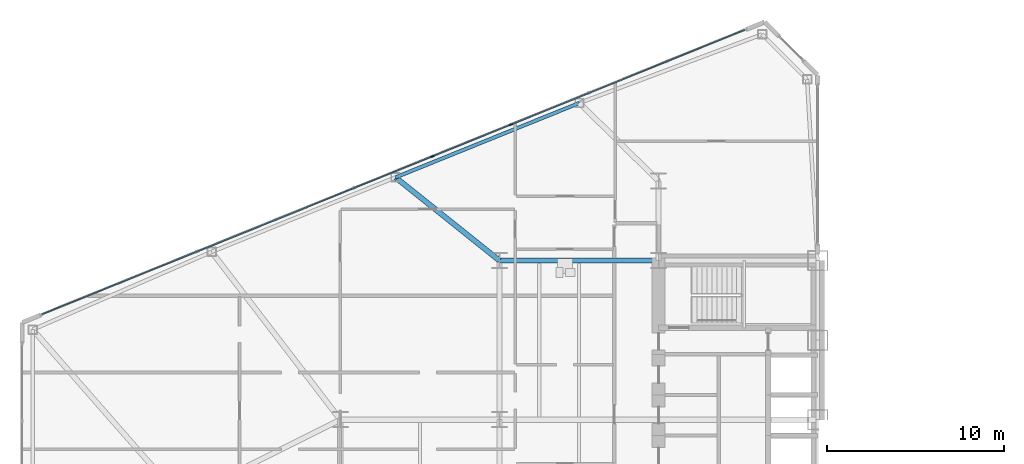
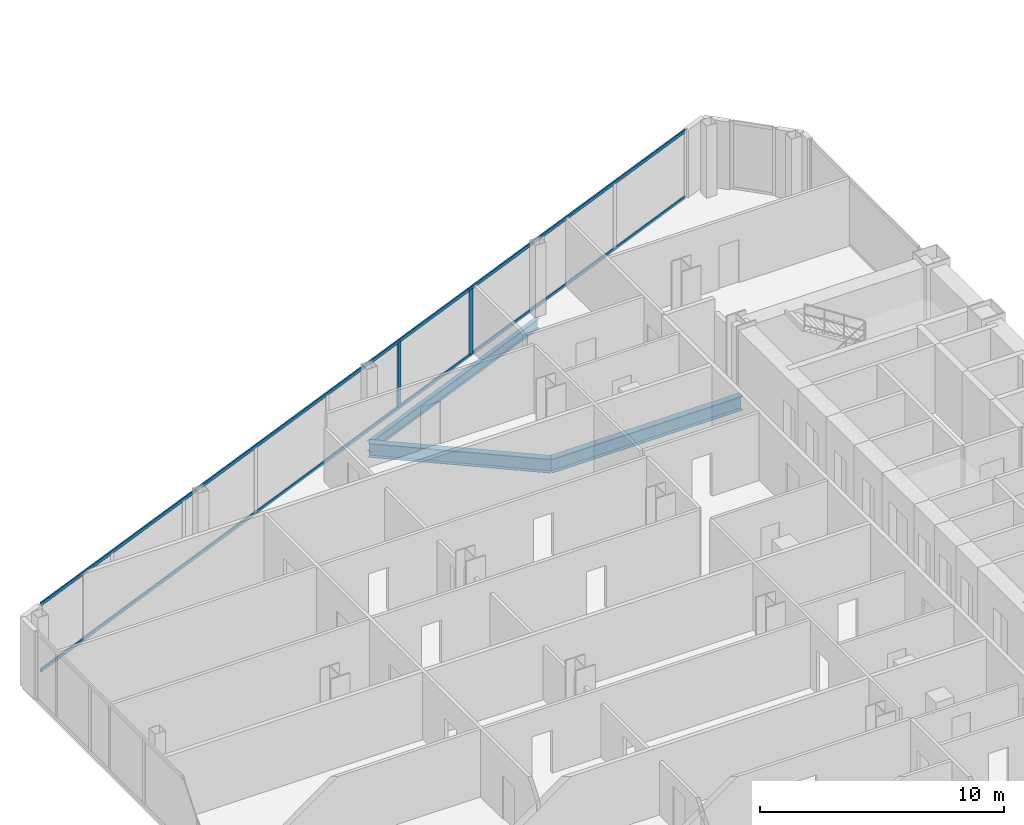
# One storey, part 7 of 25: 4 members, 3 beams, 1 element without a shape of its own.
"""IFC4 building model written with IfcOpenShell, lengths in metres."""

from ifc_helpers import new_model, si_unit, direction, frame, origin, origin_2d, place, context, subcontext, project, spatial, rectangle, i_section, extrude, source, transform, mapped, material, layer, layer_set, material_profile, profile_set, type_object, type_shapes, element, aggregate, save


model = new_model("IFC4")

# Units and contexts
model_context = context("Model", 3, precision=1e-05, world=origin(), true_north=direction((0.0, 1.0)))
body_context = subcontext(model_context, "Body", "Model", "MODEL_VIEW")
ifc_project = project(units=[si_unit("LENGTHUNIT", "METRE"), si_unit("AREAUNIT", "SQUARE_METRE"), si_unit("VOLUMEUNIT", "CUBIC_METRE"), si_unit("PLANEANGLEUNIT", "RADIAN"), si_unit("MASSUNIT", "GRAM", prefix="KILO")], contexts=[model_context])

# Site, building, storey
site_placement = place(None, origin())
site = spatial("IfcSite", under=ifc_project, at=site_placement, CompositionType="ELEMENT")
building_placement = place(site_placement, origin())
building = spatial("IfcBuilding", under=site, at=building_placement, Name="Seokmaru Belvedere", CompositionType="ELEMENT")
storey_placement = place(building_placement, frame((0.0, 0.0, 36.89990234375)))
storey = spatial("IfcBuildingStorey", under=building, at=storey_placement, Name="L09", CompositionType="ELEMENT", Elevation=36.89990234375)

# Beams
ifc_material_1 = material(Name="Steel SM355 (355 MPa)", Category="steel")
ifc_material_profile_1 = material_profile(ifc_material_1, i_section(OverallWidth=0.300048828125, OverallDepth=0.699951171875, WebThickness=0.012939453125, FlangeThickness=0.02392578125, at=origin_2d()), Name="H-700x300x13x24")
ifc_profile_set_1 = profile_set([ifc_material_profile_1], Name="Steel SM355 (355 MPa)")
beam_type_1 = type_object("IfcBeamType", Name="Primary Floor Girder H-700", PredefinedType="BEAM", material=ifc_profile_set_1)
shared_shape_1 = source(origin(), body_context, "Body", "SweptSolid", [
    extrude(i_section(OverallWidth=0.300048828125, OverallDepth=0.699951171875, WebThickness=0.012939453125, FlangeThickness=0.02392578125, at=origin_2d()), origin(), (0.0, 0.0, 1.0), 9.0),
])
beam_1_placement = place(storey_placement, frame((-45.5, 13.5, -0.56982421875), z_axis=(1.0, 0.0, 0.0), x_axis=(0.0, 1.0, 0.0)))
element("IfcBeam", 1, at=beam_1_placement, inside=storey, type_object=beam_type_1, Name="L09 W Wing Primary Girder 4", PredefinedType="BEAM", context=body_context, shape_type="MappedRepresentation", body=[
    mapped(shared_shape_1, transform((0.0, 0.0, 0.0), scale=1.0)),
])
ifc_material_profile_2 = material_profile(ifc_material_1, i_section(OverallWidth=0.199951171875, OverallDepth=0.5, WebThickness=0.010009765625, FlangeThickness=0.01611328125, at=origin_2d()), Name="H-500x200x10x16")
ifc_profile_set_2 = profile_set([ifc_material_profile_2], Name="Steel SM355 (355 MPa)")
beam_type_2 = type_object("IfcBeamType", Name="Perimeter Spandrel Beam H-500", PredefinedType="SPANDREL", material=ifc_profile_set_2)
shared_shape_2 = source(origin(), body_context, "Body", "SweptSolid", [
    extrude(i_section(OverallWidth=0.199951171875, OverallDepth=0.5, WebThickness=0.010009765625, FlangeThickness=0.01611328125, at=origin_2d()), origin(), (0.0, 0.0, 1.0), 11.220703125),
])
type_shapes(beam_type_2, [shared_shape_2])
beam_2_placement = place(storey_placement, frame((-40.977294921875, 22.4140625, -0.469970703125), z_axis=(-0.926944290816, -0.375198989503, 0.0), x_axis=(0.375198989503, -0.926944290816, 0.0)))
element("IfcBeam", 2, at=beam_2_placement, inside=storey, type_object=beam_type_2, Name="L09 W Faceted Flank Spandrel N-2", PredefinedType="SPANDREL", context=body_context, shape_type="MappedRepresentation", body=[
    mapped(shared_shape_2, transform((0.0, 0.0, 0.0), scale=1.0)),
])
shared_shape_3 = source(origin(), body_context, "Body", "SweptSolid", [
    extrude(i_section(OverallWidth=0.300048828125, OverallDepth=0.699951171875, WebThickness=0.012939453125, FlangeThickness=0.02392578125, at=origin_2d()), origin(), (0.0, 0.0, 1.0), 7.52880859375),
])
type_shapes(beam_type_1, [shared_shape_1, shared_shape_3])
beam_3_placement = place(storey_placement, frame((-51.378173828125, 18.2041015625, -0.56982421875), z_axis=(0.780767560736, -0.624821587418, 0.0), x_axis=(0.624821587418, 0.780767560736, 0.0)))
element("IfcBeam", 3, at=beam_3_placement, inside=storey, type_object=beam_type_1, Name="L09 W Flank Radial Floor Girder N-2", PredefinedType="BEAM", context=body_context, shape_type="MappedRepresentation", body=[
    mapped(shared_shape_3, transform((0.0, 0.0, 0.0), scale=1.0)),
])

# Curtain wall, members
ifc_material_2 = material(Name="Bronze Triple Insulating Glass", Category="glass")
ifc_layer = layer(ifc_material_2, 0.2099609375)
ifc_layer_set = layer_set([ifc_layer], Name="Bronze Triple Insulating Glass")
curtain_wall_type = type_object("IfcCurtainWallType", Name="Low-Rise Faceted Crystal Curtain Wall System CW-2", PredefinedType="NOTDEFINED", material=ifc_layer_set)
curtain_wall_placement = place(storey_placement, origin())
curtain_wall = element("IfcCurtainWall", 4, at=curtain_wall_placement, inside=storey, type_object=curtain_wall_type, Name="L09 Curtain Wall WF3", PredefinedType="NOTDEFINED")
ifc_material_3 = material(Name="Anodised Bronze Aluminium", Category="aluminium")
ifc_material_profile_3 = material_profile(ifc_material_3, rectangle(XDim=0.074951171875, YDim=0.2099609375, at=origin_2d()), Name="CW-M-75x210")
ifc_profile_set_3 = profile_set([ifc_material_profile_3], Name="Anodised Bronze Aluminium")
member_type_1 = type_object("IfcMemberType", Name="Bronze Unitised Mullion 75x210", PredefinedType="MULLION", material=ifc_profile_set_3)
shared_shape_4 = source(origin(), body_context, "Body", "SweptSolid", [
    extrude(rectangle(XDim=0.074951171875, YDim=0.2099609375, at=origin_2d()), origin(), (0.0, 0.0, 1.0), 3.239990234375),
])
type_shapes(member_type_1, [shared_shape_4])
member_1_placement = place(storey_placement, frame((-44.855224609375, 21.189453125, 0.070068359375), z_axis=(0.0, 0.0, 1.0), x_axis=(0.375192321888, -0.926946989637, 0.0)))
member_1 = element("IfcMember", 5, at=member_1_placement, type_object=member_type_1, Name="CW:L09:WF3 Mullion 4", PredefinedType="MULLION", context=body_context, shape_type="MappedRepresentation", body=[
    mapped(shared_shape_4, transform((0.0, 0.0, 0.0), scale=1.0)),
])
member_2_placement = place(storey_placement, frame((-49.28515625, 19.396484375, 0.070068359375), z_axis=(0.0, 0.0, 1.0), x_axis=(0.375192321888, -0.926946989637, 0.0)))
member_2 = element("IfcMember", 6, at=member_2_placement, type_object=member_type_1, Name="CW:L09:WF3 Mullion 5", PredefinedType="MULLION", context=body_context, shape_type="MappedRepresentation", body=[
    mapped(shared_shape_4, transform((0.0, 0.0, 0.0), scale=1.0)),
])
ifc_material_profile_4 = material_profile(ifc_material_3, rectangle(XDim=0.070068359375, YDim=0.1650390625, at=origin_2d()), Name="CW-T-70x165")
ifc_profile_set_4 = profile_set([ifc_material_profile_4], Name="Anodised Bronze Aluminium")
member_type_2 = type_object("IfcMemberType", Name="Bronze Unitised Transom 70x165", PredefinedType="USERDEFINED", material=ifc_profile_set_4)
shared_shape_5 = source(origin(), body_context, "Body", "SweptSolid", [
    extrude(rectangle(XDim=0.070068359375, YDim=0.1650390625, at=origin_2d()), origin(), (0.0, 0.0, 1.0), 42.860107421875),
])
type_shapes(member_type_2, [shared_shape_5])
member_3_placement = place(storey_placement, frame((-31.635498046875, 26.540283203125, 0.03515625), z_axis=(-0.926948605599, -0.375188329481, 0.0), x_axis=(0.375188329481, -0.926948605599, 0.0)))
member_3 = element("IfcMember", 7, at=member_3_placement, type_object=member_type_2, Name="CW:L09:WF3 Continuous Transom 1", ObjectType="TRANSOM", PredefinedType="USERDEFINED", context=body_context, shape_type="MappedRepresentation", body=[
    mapped(shared_shape_5, transform((0.0, 0.0, 0.0), scale=1.0)),
])
member_4_placement = place(storey_placement, frame((-31.635498046875, 26.540283203125, 3.34521484375), z_axis=(-0.926948605599, -0.375188329481, 0.0), x_axis=(0.375188329481, -0.926948605599, 0.0)))
member_4 = element("IfcMember", 8, at=member_4_placement, type_object=member_type_2, Name="CW:L09:WF3 Continuous Transom 2", ObjectType="TRANSOM", PredefinedType="USERDEFINED", context=body_context, shape_type="MappedRepresentation", body=[
    mapped(shared_shape_5, transform((0.0, 0.0, 0.0), scale=1.0)),
])
aggregate(curtain_wall, [member_1, member_2, member_3, member_4])

save(model, "model.ifc")
